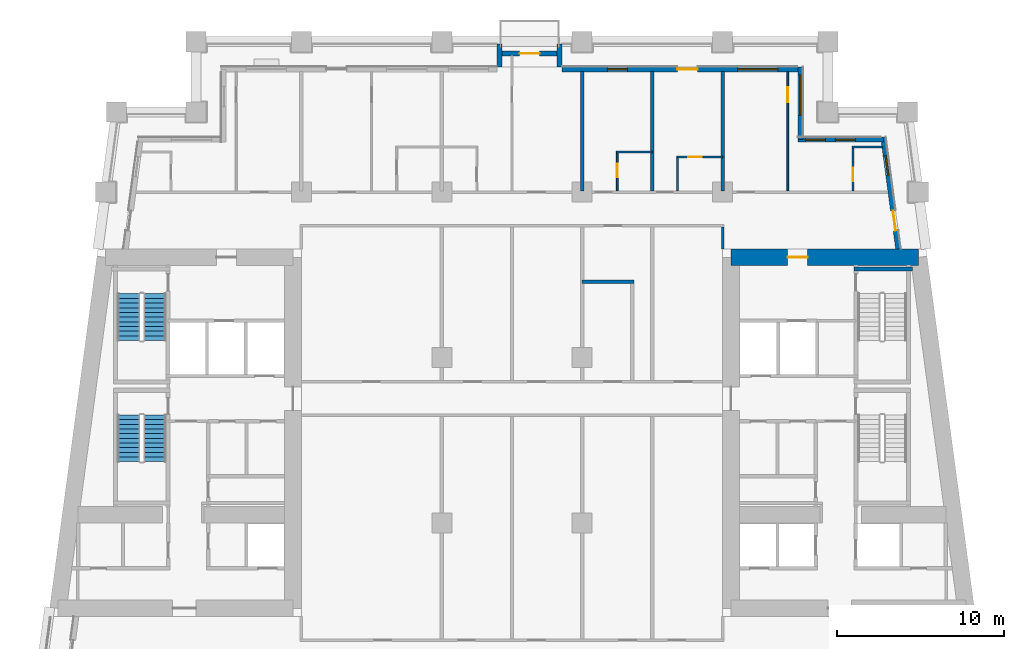
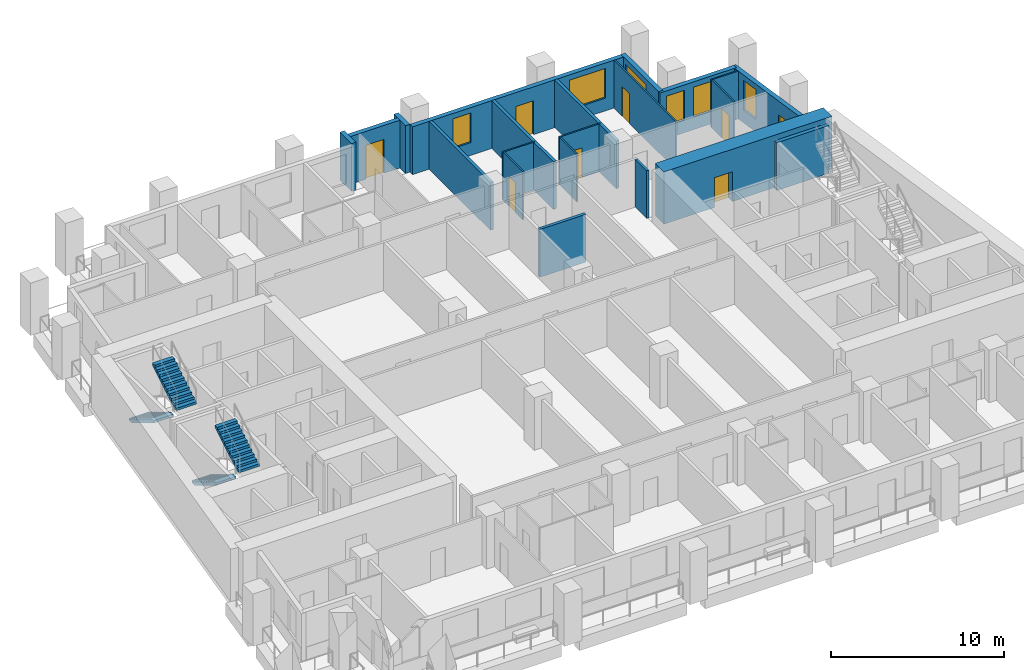
# One storey, part 7 of 13: 21 walls, 8 doors, 6 windows, 4 stair flights, 14 openings, 2 elements without a shape of their own.
"""IFC4 building model written with IfcOpenShell, lengths in metres."""

from ifc_helpers import new_model, si_unit, direction, frame, frame_2d, origin, place, context, subcontext, project, spatial, polyline, rectangle, outline, extrude, material, layer, layer_set, type_object, element, fill, aggregate, save


model = new_model("IFC4")

# Units and contexts
model_context = context("Model", 3, precision=1e-05, world=origin(), true_north=direction((0.0, 1.0)))
body_context = subcontext(model_context, "Body", "Model", "MODEL_VIEW")
ifc_project = project(units=[si_unit("LENGTHUNIT", "METRE"), si_unit("AREAUNIT", "SQUARE_METRE"), si_unit("VOLUMEUNIT", "CUBIC_METRE"), si_unit("PLANEANGLEUNIT", "RADIAN"), si_unit("MASSUNIT", "GRAM", prefix="KILO")], contexts=[model_context])

# Site, building, storey
site_placement = place(None, origin())
site = spatial("IfcSite", under=ifc_project, at=site_placement, CompositionType="ELEMENT")
building_placement = place(site_placement, origin())
building = spatial("IfcBuilding", under=site, at=building_placement, Name="Candeia Pilgrim Tower and Theatre", CompositionType="ELEMENT")
storey_placement = place(building_placement, frame((0.0, 0.0, 109.5)))
storey = spatial("IfcBuildingStorey", under=building, at=storey_placement, Name="L25", CompositionType="ELEMENT", Elevation=109.5)

# Wall, opening, door
ifc_material_1 = material(Name="Concrete C70/85", Category="concrete")
ifc_layer_1 = layer(ifc_material_1, 1.0)
ifc_layer_set_1 = layer_set([ifc_layer_1], Name="Core wall 1000 C70/85")
wall_type_1 = type_object("IfcWallType", Name="Core wall 1000 C70/85", PredefinedType="SHEAR", material=ifc_layer_set_1)
wall_1_placement = place(storey_placement, frame((126.5, 131.89990234375, 0.0), z_axis=(0.0, 0.0, 1.0), x_axis=(1.0, 0.0, 0.0)))
wall_1 = element("IfcWall", 1, at=wall_1_placement, inside=storey, type_object=wall_type_1, Name="Core wall E1", PredefinedType="SHEAR", context=body_context, shape_type="SweptSolid", body=[
    extrude(rectangle(XDim=11.23193359375, YDim=1.0, at=frame_2d((5.615966796875, 0.0))), origin(), (0.0, 0.0, 1.0), 3.699951171875),
])
opening_1_placement = place(wall_1_placement, frame((3.386474609375, 0.0, 0.0)))
opening_1 = element("IfcOpeningElement", 2, at=opening_1_placement, cuts=wall_1, Name="Opening L25-D065", PredefinedType="OPENING", context=body_context, shape_type="SweptSolid", body=[
    extrude(rectangle(XDim=1.199951171875, YDim=2.10009765625, at=frame_2d((0.60009765625, 1.050048828125))), frame((0.0, 0.510009765625, 0.0), z_axis=(0.0, -1.0, 0.0), x_axis=(1.0, 0.0, 0.0)), (0.0, 0.0, 1.0), 1.02001953125),
])
ifc_material_2 = material(Name="Steel fire door set", Category="steel")
door_type_1 = type_object("IfcDoorType", Name="D-1200-FD60", OperationType="NOTDEFINED", PredefinedType="DOOR", material=ifc_material_2)
door_1_placement = place(opening_1_placement, origin())
door_1 = element("IfcDoor", 3, at=door_1_placement, inside=storey, type_object=door_type_1, Name="Door L25-D065", OperationType="SINGLE_SWING_RIGHT", OverallHeight=2.10009765625, OverallWidth=1.199951171875, PredefinedType="DOOR", context=body_context, shape_type="SweptSolid", body=[
    extrude(rectangle(XDim=1.199951171875, YDim=2.10009765625, at=frame_2d((0.60009765625, 1.050048828125))), frame((0.0, 0.02490234375, 0.0), z_axis=(0.0, -1.0, 0.0), x_axis=(1.0, 0.0, 0.0)), (0.0, 0.0, 1.0), 0.050048828125),
])
fill(opening_1, door_1)

# Wall, openings, door, window
ifc_material_3 = material(Name="Ceramic block masonry", Category="masonry")
ifc_layer_2 = layer(ifc_material_3, 0.300048828125)
ifc_layer_set_2 = layer_set([ifc_layer_2], Name="EW1 glazing-line wall 300")
wall_type_2 = type_object("IfcWallType", Name="EW1 glazing-line wall 300", PredefinedType="SOLIDWALL", material=ifc_layer_set_2)
wall_2_placement = place(storey_placement, frame((136.50439453125, 132.39990234375, 0.0), z_axis=(0.0, 0.0, 1.0), x_axis=(-0.133399697462, 0.99106231929, 0.0)))
wall_2 = element("IfcWall", 4, at=wall_2_placement, inside=storey, type_object=wall_type_2, Name="External wall L25-3.1", PredefinedType="SOLIDWALL", context=body_context, shape_type="SweptSolid", body=[
    extrude(rectangle(XDim=6.740478515625, YDim=0.300048828125, at=frame_2d((3.3701171875, 0.0))), origin(), (0.0, 0.0, 1.0), 3.3798828125),
])
opening_2_placement = place(wall_2_placement, frame((1.115234375, 0.0, 0.0)))
opening_2 = element("IfcOpeningElement", 5, at=opening_2_placement, cuts=wall_2, Name="Opening L25-ED256", PredefinedType="OPENING", context=body_context, shape_type="SweptSolid", body=[
    extrude(rectangle(XDim=1.199951171875, YDim=2.39990234375, at=frame_2d((0.60009765625, 1.199951171875))), frame((0.0, 0.16015625, 0.0), z_axis=(0.0, -1.0, 0.0), x_axis=(1.0, 0.0, 0.0)), (0.0, 0.0, 1.0), 0.320068359375),
])
opening_3_placement = place(wall_2_placement, frame((4.435546875, 0.0, 0.89990234375)))
opening_3 = element("IfcOpeningElement", 6, at=opening_3_placement, cuts=wall_2, Name="Opening W-B", PredefinedType="OPENING", context=body_context, shape_type="SweptSolid", body=[
    extrude(rectangle(XDim=1.199951171875, YDim=2.10009765625, at=frame_2d((0.60009765625, 1.050048828125))), frame((0.0, 0.16015625, 0.0), z_axis=(0.0, -1.0, 0.0), x_axis=(1.0, 0.0, 0.0)), (0.0, 0.0, 1.0), 0.320068359375),
])
ifc_material_4 = material(Name="Aluminium framed glazed door", Category="aluminium")
door_type_2 = type_object("IfcDoorType", Name="Loggia door 1200x2400", OperationType="DOUBLE_DOOR_SINGLE_SWING", PredefinedType="DOOR", material=ifc_material_4)
door_2_placement = place(opening_2_placement, origin())
door_2 = element("IfcDoor", 7, at=door_2_placement, inside=storey, type_object=door_type_2, Name="Loggia door L25-ED256", OperationType="DOUBLE_DOOR_SINGLE_SWING", OverallHeight=2.39990234375, OverallWidth=1.199951171875, PredefinedType="DOOR", context=body_context, shape_type="SweptSolid", body=[
    extrude(rectangle(XDim=1.199951171875, YDim=2.39990234375, at=frame_2d((0.60009765625, 1.199951171875))), frame((0.0, 0.02490234375, 0.0), z_axis=(0.0, -1.0, 0.0), x_axis=(1.0, 0.0, 0.0)), (0.0, 0.0, 1.0), 0.050048828125),
])
fill(opening_2, door_2)
ifc_material_5 = material(Name="Aluminium framed double glazing", Category="aluminium")
window_type_1 = type_object("IfcWindowType", Name="W-B window 1200x2100", PartitioningType="SINGLE_PANEL", PredefinedType="WINDOW", material=ifc_material_5)
window_1_placement = place(opening_3_placement, origin())
window_1 = element("IfcWindow", 8, at=window_1_placement, inside=storey, type_object=window_type_1, Name="Window W-B L25", OverallHeight=2.10009765625, OverallWidth=1.199951171875, PartitioningType="SINGLE_PANEL", PredefinedType="WINDOW", context=body_context, shape_type="SweptSolid", body=[
    extrude(rectangle(XDim=1.199951171875, YDim=2.10009765625, at=frame_2d((0.60009765625, 1.050048828125))), frame((0.0, 0.030029296875, 0.0), z_axis=(0.0, -1.0, 0.0), x_axis=(1.0, 0.0, 0.0)), (0.0, 0.0, 1.0), 0.06005859375),
])
fill(opening_3, window_1)

# Wall, openings, windows
wall_3_placement = place(storey_placement, frame((135.62255859375, 138.949951171875, 0.0), z_axis=(0.0, 0.0, 1.0), x_axis=(-1.0, 0.0, 0.0)))
wall_3 = element("IfcWall", 9, at=wall_3_placement, inside=storey, type_object=wall_type_2, Name="External wall L25-4.0", PredefinedType="SOLIDWALL", context=body_context, shape_type="SweptSolid", body=[
    extrude(rectangle(XDim=5.12255859375, YDim=0.300048828125, at=frame_2d((2.561279296875, 0.0))), origin(), (0.0, 0.0, 1.0), 3.3798828125),
])
opening_4_placement = place(wall_3_placement, frame((1.672607421875, 0.0, 0.89990234375)))
opening_4 = element("IfcOpeningElement", 10, at=opening_4_placement, cuts=wall_3, Name="Opening W-B", PredefinedType="OPENING", context=body_context, shape_type="SweptSolid", body=[
    extrude(rectangle(XDim=1.199951171875, YDim=2.10009765625, at=frame_2d((0.60009765625, 1.050048828125))), frame((0.0, 0.16015625, 0.0), z_axis=(0.0, -1.0, 0.0), x_axis=(1.0, 0.0, 0.0)), (0.0, 0.0, 1.0), 0.320068359375),
])
opening_5_placement = place(wall_3_placement, frame((3.47265625, 0.0, 0.89990234375)))
opening_5 = element("IfcOpeningElement", 11, at=opening_5_placement, cuts=wall_3, Name="Opening W-B", PredefinedType="OPENING", context=body_context, shape_type="SweptSolid", body=[
    extrude(rectangle(XDim=1.199951171875, YDim=2.10009765625, at=frame_2d((0.60009765625, 1.050048828125))), frame((0.0, 0.16015625, 0.0), z_axis=(0.0, -1.0, 0.0), x_axis=(1.0, 0.0, 0.0)), (0.0, 0.0, 1.0), 0.320068359375),
])
window_2_placement = place(opening_4_placement, origin())
window_2 = element("IfcWindow", 12, at=window_2_placement, inside=storey, type_object=window_type_1, Name="Window W-B L25", OverallHeight=2.10009765625, OverallWidth=1.199951171875, PartitioningType="SINGLE_PANEL", PredefinedType="WINDOW", context=body_context, shape_type="SweptSolid", body=[
    extrude(rectangle(XDim=1.199951171875, YDim=2.10009765625, at=frame_2d((0.60009765625, 1.050048828125))), frame((0.0, 0.030029296875, 0.0), z_axis=(0.0, -1.0, 0.0), x_axis=(1.0, 0.0, 0.0)), (0.0, 0.0, 1.0), 0.06005859375),
])
fill(opening_4, window_2)
window_3_placement = place(opening_5_placement, origin())
window_3 = element("IfcWindow", 13, at=window_3_placement, inside=storey, type_object=window_type_1, Name="Window W-B L25", OverallHeight=2.10009765625, OverallWidth=1.199951171875, PartitioningType="SINGLE_PANEL", PredefinedType="WINDOW", context=body_context, shape_type="SweptSolid", body=[
    extrude(rectangle(XDim=1.199951171875, YDim=2.10009765625, at=frame_2d((0.60009765625, 1.050048828125))), frame((0.0, 0.030029296875, 0.0), z_axis=(0.0, -1.0, 0.0), x_axis=(1.0, 0.0, 0.0)), (0.0, 0.0, 1.0), 0.06005859375),
])
fill(opening_5, window_3)

# Wall, opening, window
wall_4_placement = place(storey_placement, frame((130.64990234375, 138.949951171875, 0.0), z_axis=(0.0, 0.0, 1.0), x_axis=(0.0, 1.0, 0.0)))
wall_4 = element("IfcWall", 14, at=wall_4_placement, inside=storey, type_object=wall_type_2, Name="External wall L25-5.0", PredefinedType="SOLIDWALL", context=body_context, shape_type="SweptSolid", body=[
    extrude(rectangle(XDim=4.35009765625, YDim=0.300048828125, at=frame_2d((2.175048828125, 0.0))), origin(), (0.0, 0.0, 1.0), 3.3798828125),
])
opening_6_placement = place(wall_4_placement, frame((1.449951171875, 0.0, 0.89990234375)))
opening_6 = element("IfcOpeningElement", 15, at=opening_6_placement, cuts=wall_4, Name="Opening W-A", PredefinedType="OPENING", context=body_context, shape_type="SweptSolid", body=[
    extrude(rectangle(XDim=2.39990234375, YDim=2.10009765625, at=frame_2d((1.199951171875, 1.050048828125))), frame((0.0, 0.16015625, 0.0), z_axis=(0.0, -1.0, 0.0), x_axis=(1.0, 0.0, 0.0)), (0.0, 0.0, 1.0), 0.320068359375),
])
window_type_2 = type_object("IfcWindowType", Name="W-A window 2400x2100", PartitioningType="DOUBLE_PANEL_VERTICAL", PredefinedType="WINDOW", material=ifc_material_5)
window_4_placement = place(opening_6_placement, origin())
window_4 = element("IfcWindow", 16, at=window_4_placement, inside=storey, type_object=window_type_2, Name="Window W-A L25", OverallHeight=2.10009765625, OverallWidth=2.39990234375, PartitioningType="SINGLE_PANEL", PredefinedType="WINDOW", context=body_context, shape_type="SweptSolid", body=[
    extrude(rectangle(XDim=2.39990234375, YDim=2.10009765625, at=frame_2d((1.199951171875, 1.050048828125))), frame((0.0, 0.030029296875, 0.0), z_axis=(0.0, -1.0, 0.0), x_axis=(1.0, 0.0, 0.0)), (0.0, 0.0, 1.0), 0.06005859375),
])
fill(opening_6, window_4)

# Wall, openings, door, windows
wall_5_placement = place(storey_placement, frame((130.64990234375, 143.14990234375, 0.0), z_axis=(0.0, 0.0, 1.0), x_axis=(-1.0, 0.0, 0.0)))
wall_5 = element("IfcWall", 17, at=wall_5_placement, inside=storey, type_object=wall_type_2, Name="External wall L25-6.0", PredefinedType="SOLIDWALL", context=body_context, shape_type="SweptSolid", body=[
    extrude(rectangle(XDim=14.25, YDim=0.300048828125, at=frame_2d((7.125, 0.0))), origin(), (0.0, 0.0, 1.0), 3.3798828125),
])
opening_7_placement = place(wall_5_placement, frame((1.35009765625, 0.0, 0.89990234375)))
opening_7 = element("IfcOpeningElement", 18, at=opening_7_placement, cuts=wall_5, Name="Opening W-A", PredefinedType="OPENING", context=body_context, shape_type="SweptSolid", body=[
    extrude(rectangle(XDim=2.39990234375, YDim=2.10009765625, at=frame_2d((1.199951171875, 1.050048828125))), frame((0.0, 0.16015625, 0.0), z_axis=(0.0, -1.0, 0.0), x_axis=(1.0, 0.0, 0.0)), (0.0, 0.0, 1.0), 0.320068359375),
])
opening_8_placement = place(wall_5_placement, frame((6.14990234375, 0.0, 0.0)))
opening_8 = element("IfcOpeningElement", 19, at=opening_8_placement, cuts=wall_5, Name="Opening L25-ED257", PredefinedType="OPENING", context=body_context, shape_type="SweptSolid", body=[
    extrude(rectangle(XDim=1.199951171875, YDim=2.39990234375, at=frame_2d((0.60009765625, 1.199951171875))), frame((0.0, 0.16015625, 0.0), z_axis=(0.0, -1.0, 0.0), x_axis=(1.0, 0.0, 0.0)), (0.0, 0.0, 1.0), 0.320068359375),
])
opening_9_placement = place(wall_5_placement, frame((10.35009765625, 0.0, 0.89990234375)))
opening_9 = element("IfcOpeningElement", 20, at=opening_9_placement, cuts=wall_5, Name="Opening W-B", PredefinedType="OPENING", context=body_context, shape_type="SweptSolid", body=[
    extrude(rectangle(XDim=1.199951171875, YDim=2.10009765625, at=frame_2d((0.60009765625, 1.050048828125))), frame((0.0, 0.16015625, 0.0), z_axis=(0.0, -1.0, 0.0), x_axis=(1.0, 0.0, 0.0)), (0.0, 0.0, 1.0), 0.320068359375),
])
door_3_placement = place(opening_8_placement, origin())
door_3 = element("IfcDoor", 21, at=door_3_placement, inside=storey, type_object=door_type_2, Name="Loggia door L25-ED257", OperationType="DOUBLE_DOOR_SINGLE_SWING", OverallHeight=2.39990234375, OverallWidth=1.199951171875, PredefinedType="DOOR", context=body_context, shape_type="SweptSolid", body=[
    extrude(rectangle(XDim=1.199951171875, YDim=2.39990234375, at=frame_2d((0.60009765625, 1.199951171875))), frame((0.0, 0.02490234375, 0.0), z_axis=(0.0, -1.0, 0.0), x_axis=(1.0, 0.0, 0.0)), (0.0, 0.0, 1.0), 0.050048828125),
])
fill(opening_8, door_3)
window_5_placement = place(opening_7_placement, origin())
window_5 = element("IfcWindow", 22, at=window_5_placement, inside=storey, type_object=window_type_2, Name="Window W-A L25", OverallHeight=2.10009765625, OverallWidth=2.39990234375, PartitioningType="SINGLE_PANEL", PredefinedType="WINDOW", context=body_context, shape_type="SweptSolid", body=[
    extrude(rectangle(XDim=2.39990234375, YDim=2.10009765625, at=frame_2d((1.199951171875, 1.050048828125))), frame((0.0, 0.030029296875, 0.0), z_axis=(0.0, -1.0, 0.0), x_axis=(1.0, 0.0, 0.0)), (0.0, 0.0, 1.0), 0.06005859375),
])
fill(opening_7, window_5)
window_6_placement = place(opening_9_placement, origin())
window_6 = element("IfcWindow", 23, at=window_6_placement, inside=storey, type_object=window_type_1, Name="Window W-B L25", OverallHeight=2.10009765625, OverallWidth=1.199951171875, PartitioningType="SINGLE_PANEL", PredefinedType="WINDOW", context=body_context, shape_type="SweptSolid", body=[
    extrude(rectangle(XDim=1.199951171875, YDim=2.10009765625, at=frame_2d((0.60009765625, 1.050048828125))), frame((0.0, 0.030029296875, 0.0), z_axis=(0.0, -1.0, 0.0), x_axis=(1.0, 0.0, 0.0)), (0.0, 0.0, 1.0), 0.06005859375),
])
fill(opening_9, window_6)

# Walls
ifc_layer_3 = layer(ifc_material_3, 0.300048828125)
ifc_layer_set_3 = layer_set([ifc_layer_3], Name="EW2 entrance infill wall 300")
wall_type_3 = type_object("IfcWallType", Name="EW2 entrance infill wall 300", PredefinedType="SOLIDWALL", material=ifc_layer_set_3)
for number, where, z_axis, x_axis, name in (
    (24, (116.25, 143.300048828125, 0.0), (0.0, 0.0, 1.0), (0.0, 1.0, 0.0), "Alcove wall L25"),
    (25, (112.64990234375, 143.300048828125, 0.0), (0.0, 0.0, 1.0), (0.0, 1.0, 0.0), "Alcove wall L25"),
):
    element("IfcWall", number, at=place(storey_placement, frame(where, z_axis=z_axis, x_axis=x_axis)), inside=storey, type_object=wall_type_3, Name=name, PredefinedType="SOLIDWALL", context=body_context, shape_type="SweptSolid", body=[
        extrude(rectangle(XDim=1.349853515625, YDim=0.300048828125, at=frame_2d((0.6748046875, 0.0))), origin(), (0.0, 0.0, 1.0), 3.3798828125),
    ])

# Wall, opening, door
wall_6_placement = place(storey_placement, frame((116.39990234375, 144.10009765625, 0.0), z_axis=(0.0, 0.0, 1.0), x_axis=(-1.0, 0.0, 0.0)))
wall_6 = element("IfcWall", 26, at=wall_6_placement, inside=storey, type_object=wall_type_3, Name="Alcove wall L25", PredefinedType="SOLIDWALL", context=body_context, shape_type="SweptSolid", body=[
    extrude(rectangle(XDim=3.89990234375, YDim=0.300048828125, at=frame_2d((1.949951171875, 0.0))), origin(), (0.0, 0.0, 1.0), 3.3798828125),
])
opening_10_placement = place(wall_6_placement, frame((1.35009765625, 0.0, 0.0)))
opening_10 = element("IfcOpeningElement", 27, at=opening_10_placement, cuts=wall_6, Name="Opening L25-ED259", PredefinedType="OPENING", context=body_context, shape_type="SweptSolid", body=[
    extrude(rectangle(XDim=1.199951171875, YDim=2.39990234375, at=frame_2d((0.60009765625, 1.199951171875))), frame((0.0, 0.16015625, 0.0), z_axis=(0.0, -1.0, 0.0), x_axis=(1.0, 0.0, 0.0)), (0.0, 0.0, 1.0), 0.320068359375),
])
door_4_placement = place(opening_10_placement, origin())
door_4 = element("IfcDoor", 28, at=door_4_placement, inside=storey, type_object=door_type_2, Name="Balcony door L25-ED259", OperationType="DOUBLE_DOOR_SINGLE_SWING", OverallHeight=2.39990234375, OverallWidth=1.199951171875, PredefinedType="DOOR", context=body_context, shape_type="SweptSolid", body=[
    extrude(rectangle(XDim=1.199951171875, YDim=2.39990234375, at=frame_2d((0.60009765625, 1.199951171875))), frame((0.0, 0.02490234375, 0.0), z_axis=(0.0, -1.0, 0.0), x_axis=(1.0, 0.0, 0.0)), (0.0, 0.0, 1.0), 0.050048828125),
])
fill(opening_10, door_4)

ifc_material_6 = material(Name="Gypsum board partition on steel studs", Category="steel")
ifc_layer_4 = layer(ifc_material_6, 0.10009765625)
ifc_layer_set_4 = layer_set([ifc_layer_4], Name="PW-100 room partition")
wall_type_4 = type_object("IfcWallType", Name="PW-100 room partition", PredefinedType="PARTITIONING", material=ifc_layer_set_4)
wall_7_placement = place(storey_placement, frame((123.25, 137.89990234375, 0.0), z_axis=(0.0, 0.0, 1.0), x_axis=(1.0, 0.0, 0.0)))
wall_7 = element("IfcWall", 29, at=wall_7_placement, inside=storey, type_object=wall_type_4, Name="Room partition L25-042", PredefinedType="PARTITIONING", context=body_context, shape_type="SweptSolid", body=[
    extrude(rectangle(XDim=2.75, YDim=0.10009765625, at=frame_2d((1.375, 0.0))), origin(), (0.0, 0.0, 1.0), 3.3798828125),
])
opening_11_placement = place(wall_7_placement, frame((0.699951171875, 0.0, 0.0)))
opening_11 = element("IfcOpeningElement", 30, at=opening_11_placement, cuts=wall_7, Name="Opening L25-D046", PredefinedType="OPENING", context=body_context, shape_type="SweptSolid", body=[
    extrude(rectangle(XDim=0.800048828125, YDim=2.10009765625, at=frame_2d((0.39990234375, 1.050048828125))), frame((0.0, 0.06005859375, 0.0), z_axis=(0.0, -1.0, 0.0), x_axis=(1.0, 0.0, 0.0)), (0.0, 0.0, 1.0), 0.1201171875),
])
ifc_material_7 = material(Name="Timber door leaf", Category="wood")
door_type_3 = type_object("IfcDoorType", Name="D-800", OperationType="NOTDEFINED", PredefinedType="DOOR", material=ifc_material_7)
door_5_placement = place(opening_11_placement, origin())
door_5 = element("IfcDoor", 31, at=door_5_placement, inside=storey, type_object=door_type_3, Name="Door L25-D046", OperationType="SINGLE_SWING_LEFT", OverallHeight=2.10009765625, OverallWidth=0.800048828125, PredefinedType="DOOR", context=body_context, shape_type="SweptSolid", body=[
    extrude(rectangle(XDim=0.800048828125, YDim=2.10009765625, at=frame_2d((0.39990234375, 1.050048828125))), frame((0.0, 0.02490234375, 0.0), z_axis=(0.0, -1.0, 0.0), x_axis=(1.0, 0.0, 0.0)), (0.0, 0.0, 1.0), 0.050048828125),
])
fill(opening_11, door_5)

# Walls
wall_8_placement = place(storey_placement, frame((119.64990234375, 138.199951171875, 0.0), z_axis=(0.0, 0.0, 1.0), x_axis=(1.0, 0.0, 0.0)))
element("IfcWall", 32, at=wall_8_placement, inside=storey, type_object=wall_type_4, Name="Room partition L25-044", PredefinedType="PARTITIONING", context=body_context, shape_type="SweptSolid", body=[
    extrude(rectangle(XDim=2.150146484375, YDim=0.10009765625, at=frame_2d((1.0751953125, 0.0))), origin(), (0.0, 0.0, 1.0), 3.3798828125),
])
wall_9_placement = place(storey_placement, frame((133.75, 138.5, 0.0), z_axis=(0.0, 0.0, 1.0), x_axis=(1.0, 0.0, 0.0)))
element("IfcWall", 33, at=wall_9_placement, inside=storey, type_object=wall_type_4, Name="Room partition L25-046", PredefinedType="PARTITIONING", context=body_context, shape_type="SweptSolid", body=[
    extrude(rectangle(XDim=1.7919921875, YDim=0.10009765625, at=frame_2d((0.89599609375, 0.0))), origin(), (0.0, 0.0, 1.0), 3.3798828125),
])

# Wall, opening, door
wall_10_placement = place(storey_placement, frame((119.699951171875, 135.875, 0.0), z_axis=(0.0, 0.0, 1.0), x_axis=(0.0, 1.0, 0.0)))
wall_10 = element("IfcWall", 34, at=wall_10_placement, inside=storey, type_object=wall_type_4, Name="Room partition L25-090", PredefinedType="PARTITIONING", context=body_context, shape_type="SweptSolid", body=[
    extrude(rectangle(XDim=2.27490234375, YDim=0.10009765625, at=frame_2d((1.137451171875, 0.0))), origin(), (0.0, 0.0, 1.0), 3.3798828125),
])
opening_12_placement = place(wall_10_placement, frame((0.81494140625, 0.0, 0.0)))
opening_12 = element("IfcOpeningElement", 35, at=opening_12_placement, cuts=wall_10, Name="Opening L25-D044", PredefinedType="OPENING", context=body_context, shape_type="SweptSolid", body=[
    extrude(rectangle(XDim=0.800048828125, YDim=2.10009765625, at=frame_2d((0.39990234375, 1.050048828125))), frame((0.0, 0.06005859375, 0.0), z_axis=(0.0, -1.0, 0.0), x_axis=(1.0, 0.0, 0.0)), (0.0, 0.0, 1.0), 0.1201171875),
])
door_6_placement = place(opening_12_placement, origin())
door_6 = element("IfcDoor", 36, at=door_6_placement, inside=storey, type_object=door_type_3, Name="Door L25-D044", OperationType="SINGLE_SWING_LEFT", OverallHeight=2.10009765625, OverallWidth=0.800048828125, PredefinedType="DOOR", context=body_context, shape_type="SweptSolid", body=[
    extrude(rectangle(XDim=0.800048828125, YDim=2.10009765625, at=frame_2d((0.39990234375, 1.050048828125))), frame((0.0, 0.02490234375, 0.0), z_axis=(0.0, -1.0, 0.0), x_axis=(1.0, 0.0, 0.0)), (0.0, 0.0, 1.0), 0.050048828125),
])
fill(opening_12, door_6)

# Wall
wall_11_placement = place(storey_placement, frame((123.300048828125, 135.875, 0.0), z_axis=(0.0, 0.0, 1.0), x_axis=(0.0, 1.0, 0.0)))
element("IfcWall", 37, at=wall_11_placement, inside=storey, type_object=wall_type_4, Name="Room partition L25-096", PredefinedType="PARTITIONING", context=body_context, shape_type="SweptSolid", body=[
    extrude(rectangle(XDim=1.97509765625, YDim=0.10009765625, at=frame_2d((0.987548828125, 0.0))), origin(), (0.0, 0.0, 1.0), 3.3798828125),
])

# Wall, opening, door
wall_12_placement = place(storey_placement, frame((129.89990234375, 135.875, 0.0), z_axis=(0.0, 0.0, 1.0), x_axis=(0.0, 1.0, 0.0)))
wall_12 = element("IfcWall", 38, at=wall_12_placement, inside=storey, type_object=wall_type_4, Name="Room partition L25-105", PredefinedType="PARTITIONING", context=body_context, shape_type="SweptSolid", body=[
    extrude(rectangle(XDim=7.135009765625, YDim=0.10009765625, at=frame_2d((3.5673828125, 0.0))), origin(), (0.0, 0.0, 1.0), 3.3798828125),
])
opening_13_placement = place(wall_12_placement, frame((5.2900390625, 0.0, 0.0)))
opening_13 = element("IfcOpeningElement", 39, at=opening_13_placement, cuts=wall_12, Name="Opening L25-D048", PredefinedType="OPENING", context=body_context, shape_type="SweptSolid", body=[
    extrude(rectangle(XDim=0.89990234375, YDim=2.10009765625, at=frame_2d((0.449951171875, 1.050048828125))), frame((0.0, 0.06005859375, 0.0), z_axis=(0.0, -1.0, 0.0), x_axis=(1.0, 0.0, 0.0)), (0.0, 0.0, 1.0), 0.1201171875),
])
door_type_4 = type_object("IfcDoorType", Name="D-900", OperationType="NOTDEFINED", PredefinedType="DOOR", material=ifc_material_7)
door_7_placement = place(opening_13_placement, origin())
door_7 = element("IfcDoor", 40, at=door_7_placement, inside=storey, type_object=door_type_4, Name="Door L25-D048", OperationType="SINGLE_SWING_LEFT", OverallHeight=2.10009765625, OverallWidth=0.89990234375, PredefinedType="DOOR", context=body_context, shape_type="SweptSolid", body=[
    extrude(rectangle(XDim=0.89990234375, YDim=2.10009765625, at=frame_2d((0.449951171875, 1.050048828125))), frame((0.0, 0.02490234375, 0.0), z_axis=(0.0, -1.0, 0.0), x_axis=(1.0, 0.0, 0.0)), (0.0, 0.0, 1.0), 0.050048828125),
])
fill(opening_13, door_7)

wall_13_placement = place(storey_placement, frame((133.800048828125, 135.875, 0.0), z_axis=(0.0, 0.0, 1.0), x_axis=(0.0, 1.0, 0.0)))
wall_13 = element("IfcWall", 41, at=wall_13_placement, inside=storey, type_object=wall_type_4, Name="Room partition L25-112", PredefinedType="PARTITIONING", context=body_context, shape_type="SweptSolid", body=[
    extrude(rectangle(XDim=2.574951171875, YDim=0.10009765625, at=frame_2d((1.28759765625, 0.0))), origin(), (0.0, 0.0, 1.0), 3.3798828125),
])
opening_14_placement = place(wall_13_placement, frame((0.574951171875, 0.0, 0.0)))
opening_14 = element("IfcOpeningElement", 42, at=opening_14_placement, cuts=wall_13, Name="Opening L25-D049", PredefinedType="OPENING", context=body_context, shape_type="SweptSolid", body=[
    extrude(rectangle(XDim=0.800048828125, YDim=2.10009765625, at=frame_2d((0.39990234375, 1.050048828125))), frame((0.0, 0.06005859375, 0.0), z_axis=(0.0, -1.0, 0.0), x_axis=(1.0, 0.0, 0.0)), (0.0, 0.0, 1.0), 0.1201171875),
])
door_8_placement = place(opening_14_placement, origin())
door_8 = element("IfcDoor", 43, at=door_8_placement, inside=storey, type_object=door_type_3, Name="Door L25-D049", OperationType="SINGLE_SWING_RIGHT", OverallHeight=2.10009765625, OverallWidth=0.800048828125, PredefinedType="DOOR", context=body_context, shape_type="SweptSolid", body=[
    extrude(rectangle(XDim=0.800048828125, YDim=2.10009765625, at=frame_2d((0.39990234375, 1.050048828125))), frame((0.0, 0.02490234375, 0.0), z_axis=(0.0, -1.0, 0.0), x_axis=(1.0, 0.0, 0.0)), (0.0, 0.0, 1.0), 0.050048828125),
])
fill(opening_14, door_8)

# Walls
ifc_layer_5 = layer(ifc_material_6, 0.14990234375)
ifc_layer_set_5 = layer_set([ifc_layer_5], Name="PW-150 unit wall")
wall_type_5 = type_object("IfcWallType", Name="PW-150 unit wall", PredefinedType="PARTITIONING", material=ifc_layer_set_5)
wall_14_placement = place(storey_placement, frame((126.0, 132.39990234375, 0.0), z_axis=(0.0, 0.0, 1.0), x_axis=(0.0, 1.0, 0.0)))
element("IfcWall", 44, at=wall_14_placement, inside=storey, type_object=wall_type_5, Name="Unit wall L25-100", PredefinedType="PARTITIONING", context=body_context, shape_type="SweptSolid", body=[
    extrude(rectangle(XDim=1.3251953125, YDim=0.14990234375, at=frame_2d((0.66259765625, 0.0))), origin(), (0.0, 0.0, 1.0), 3.3798828125),
])
ifc_layer_6 = layer(ifc_material_6, 0.199951171875)
ifc_layer_set_6 = layer_set([ifc_layer_6], Name="PW-200 party wall")
wall_type_6 = type_object("IfcWallType", Name="PW-200 party wall", PredefinedType="PARTITIONING", material=ifc_layer_set_6)
wall_15_placement = place(storey_placement, frame((117.60009765625, 130.449951171875, 0.0), z_axis=(0.0, 0.0, 1.0), x_axis=(1.0, 0.0, 0.0)))
element("IfcWall", 45, at=wall_15_placement, inside=storey, type_object=wall_type_6, Name="Party wall L25-037", PredefinedType="PARTITIONING", context=body_context, shape_type="SweptSolid", body=[
    extrude(rectangle(XDim=3.099853515625, YDim=0.199951171875, at=frame_2d((1.5498046875, 0.0))), origin(), (0.0, 0.0, 1.0), 3.3798828125),
])
for number, where, z_axis, x_axis, name in (
    (46, (117.60009765625, 135.875, 0.0), (0.0, 0.0, 1.0), (0.0, 1.0, 0.0), "Party wall L25-088"),
    (47, (121.800048828125, 135.875, 0.0), (0.0, 0.0, 1.0), (0.0, 1.0, 0.0), "Party wall L25-095"),
    (48, (126.0, 135.875, 0.0), (0.0, 0.0, 1.0), (0.0, 1.0, 0.0), "Party wall L25-098"),
):
    element("IfcWall", number, at=place(storey_placement, frame(where, z_axis=z_axis, x_axis=x_axis)), inside=storey, type_object=wall_type_6, Name=name, PredefinedType="PARTITIONING", context=body_context, shape_type="SweptSolid", body=[
        extrude(rectangle(XDim=7.135009765625, YDim=0.199951171875, at=frame_2d((3.5673828125, 0.0))), origin(), (0.0, 0.0, 1.0), 3.3798828125),
    ])
ifc_material_8 = material(Name="Concrete C40/50", Category="concrete")
ifc_layer_7 = layer(ifc_material_8, 0.25)
ifc_layer_set_7 = layer_set([ifc_layer_7], Name="SW-250 stair wall")
wall_type_7 = type_object("IfcWallType", Name="SW-250 stair wall", PredefinedType="PARTITIONING", material=ifc_layer_set_7)
wall_16_placement = place(storey_placement, frame((133.847900390625, 131.199951171875, 0.0), z_axis=(0.0, 0.0, 1.0), x_axis=(1.0, 0.0, 0.0)))
element("IfcWall", 49, at=wall_16_placement, inside=storey, type_object=wall_type_7, Name="Stair wall L25-039", PredefinedType="PARTITIONING", context=body_context, shape_type="SweptSolid", body=[
    extrude(rectangle(XDim=3.50390625, YDim=0.25, at=frame_2d((1.751953125, 0.0))), origin(), (0.0, 0.0, 1.0), 3.3798828125),
])

# Stair, stair flights
stair_type = type_object("IfcStairType", Name="ST-TWR dog-leg escape stair", PredefinedType="HALF_TURN_STAIR", material=ifc_material_8)
stair_1_placement = place(storey_placement, origin())
stair_1 = element("IfcStair", 50, at=stair_1_placement, inside=storey, type_object=stair_type, Name="L25 Escape stair ST1", PredefinedType="HALF_TURN_STAIR")
stair_flight_type = type_object("IfcStairFlightType", Name="SFL-RC stair flight", PredefinedType="STRAIGHT", material=ifc_material_8)
stair_flight_1_placement = place(storey_placement, frame((90.47705078125, 122.47509765625, 0.0), z_axis=(0.0, 0.0, 1.0), x_axis=(0.0, -1.0, 0.0)))
stair_flight_1 = element("IfcStairFlight", 51, at=stair_flight_1_placement, type_object=stair_flight_type, Name="ST1 flight 1", NumberOfRisers=11, NumberOfTreads=10, PredefinedType="STRAIGHT", RiserHeight=0.168181818, TreadLength=0.28, context=body_context, shape_type="SweptSolid", body=[
    extrude(outline(polyline([(0.0, 0.0), (0.0, 0.168212890625), (0.280029296875, 0.168212890625), (0.280029296875, 0.33642578125), (0.56005859375, 0.33642578125), (0.56005859375, 0.504638671875), (0.840087890625, 0.504638671875), (0.840087890625, 0.672607421875), (1.1201171875, 0.672607421875), (1.1201171875, 0.8408203125), (1.39990234375, 0.8408203125), (1.39990234375, 1.009033203125), (1.679931640625, 1.009033203125), (1.679931640625, 1.17724609375), (1.9599609375, 1.17724609375), (1.9599609375, 1.345458984375), (2.239990234375, 1.345458984375), (2.239990234375, 1.513671875), (2.52001953125, 1.513671875), (2.52001953125, 1.681884765625), (2.800048828125, 1.681884765625), (2.800048828125, 1.85009765625), (2.800048828125, 1.5068359375), (0.291015625, 0.0), (0.0, 0.0)])), frame((0.0, 0.675048828125, 0.0), z_axis=(0.0, -1.0, 0.0), x_axis=(1.0, 0.0, 0.0)), (0.0, 0.0, 1.0), 1.35009765625),
])
stair_flight_2_placement = place(storey_placement, frame((92.027099609375, 119.675048828125, 1.85009765625), z_axis=(0.0, 0.0, 1.0), x_axis=(0.0, 1.0, 0.0)))
stair_flight_2 = element("IfcStairFlight", 52, at=stair_flight_2_placement, type_object=stair_flight_type, Name="ST1 flight 2", NumberOfRisers=11, NumberOfTreads=10, PredefinedType="STRAIGHT", RiserHeight=0.168181818, TreadLength=0.28, context=body_context, shape_type="SweptSolid", body=[
    extrude(outline(polyline([(0.0, 0.0), (0.0, 0.168212890625), (0.280029296875, 0.168212890625), (0.280029296875, 0.33642578125), (0.56005859375, 0.33642578125), (0.56005859375, 0.504638671875), (0.840087890625, 0.504638671875), (0.840087890625, 0.672607421875), (1.1201171875, 0.672607421875), (1.1201171875, 0.8408203125), (1.39990234375, 0.8408203125), (1.39990234375, 1.009033203125), (1.679931640625, 1.009033203125), (1.679931640625, 1.17724609375), (1.9599609375, 1.17724609375), (1.9599609375, 1.345458984375), (2.239990234375, 1.345458984375), (2.239990234375, 1.513671875), (2.52001953125, 1.513671875), (2.52001953125, 1.681884765625), (2.800048828125, 1.681884765625), (2.800048828125, 1.85009765625), (2.800048828125, 1.5068359375), (0.291015625, 0.0), (0.0, 0.0)])), frame((0.0, 0.675048828125, 0.0), z_axis=(0.0, -1.0, 0.0), x_axis=(1.0, 0.0, 0.0)), (0.0, 0.0, 1.0), 1.35009765625),
])
aggregate(stair_1, [stair_flight_1, stair_flight_2])

stair_2_placement = place(storey_placement, origin())
stair_2 = element("IfcStair", 53, at=stair_2_placement, inside=storey, type_object=stair_type, Name="L25 Escape stair ST2", PredefinedType="HALF_TURN_STAIR")
stair_flight_3_placement = place(storey_placement, frame((90.47705078125, 129.72509765625, 0.0), z_axis=(0.0, 0.0, 1.0), x_axis=(0.0, -1.0, 0.0)))
stair_flight_3 = element("IfcStairFlight", 54, at=stair_flight_3_placement, type_object=stair_flight_type, Name="ST2 flight 1", NumberOfRisers=11, NumberOfTreads=10, PredefinedType="STRAIGHT", RiserHeight=0.168181818, TreadLength=0.28, context=body_context, shape_type="SweptSolid", body=[
    extrude(outline(polyline([(0.0, 0.0), (0.0, 0.168212890625), (0.280029296875, 0.168212890625), (0.280029296875, 0.33642578125), (0.56005859375, 0.33642578125), (0.56005859375, 0.504638671875), (0.840087890625, 0.504638671875), (0.840087890625, 0.672607421875), (1.1201171875, 0.672607421875), (1.1201171875, 0.8408203125), (1.39990234375, 0.8408203125), (1.39990234375, 1.009033203125), (1.679931640625, 1.009033203125), (1.679931640625, 1.17724609375), (1.9599609375, 1.17724609375), (1.9599609375, 1.345458984375), (2.239990234375, 1.345458984375), (2.239990234375, 1.513671875), (2.52001953125, 1.513671875), (2.52001953125, 1.681884765625), (2.800048828125, 1.681884765625), (2.800048828125, 1.85009765625), (2.800048828125, 1.5068359375), (0.291015625, 0.0), (0.0, 0.0)])), frame((0.0, 0.675048828125, 0.0), z_axis=(0.0, -1.0, 0.0), x_axis=(1.0, 0.0, 0.0)), (0.0, 0.0, 1.0), 1.35009765625),
])
stair_flight_4_placement = place(storey_placement, frame((92.027099609375, 126.925048828125, 1.85009765625), z_axis=(0.0, 0.0, 1.0), x_axis=(0.0, 1.0, 0.0)))
stair_flight_4 = element("IfcStairFlight", 55, at=stair_flight_4_placement, type_object=stair_flight_type, Name="ST2 flight 2", NumberOfRisers=11, NumberOfTreads=10, PredefinedType="STRAIGHT", RiserHeight=0.168181818, TreadLength=0.28, context=body_context, shape_type="SweptSolid", body=[
    extrude(outline(polyline([(0.0, 0.0), (0.0, 0.168212890625), (0.280029296875, 0.168212890625), (0.280029296875, 0.33642578125), (0.56005859375, 0.33642578125), (0.56005859375, 0.504638671875), (0.840087890625, 0.504638671875), (0.840087890625, 0.672607421875), (1.1201171875, 0.672607421875), (1.1201171875, 0.8408203125), (1.39990234375, 0.8408203125), (1.39990234375, 1.009033203125), (1.679931640625, 1.009033203125), (1.679931640625, 1.17724609375), (1.9599609375, 1.17724609375), (1.9599609375, 1.345458984375), (2.239990234375, 1.345458984375), (2.239990234375, 1.513671875), (2.52001953125, 1.513671875), (2.52001953125, 1.681884765625), (2.800048828125, 1.681884765625), (2.800048828125, 1.85009765625), (2.800048828125, 1.5068359375), (0.291015625, 0.0), (0.0, 0.0)])), frame((0.0, 0.675048828125, 0.0), z_axis=(0.0, -1.0, 0.0), x_axis=(1.0, 0.0, 0.0)), (0.0, 0.0, 1.0), 1.35009765625),
])
aggregate(stair_2, [stair_flight_3, stair_flight_4])

save(model, "model.ifc")
